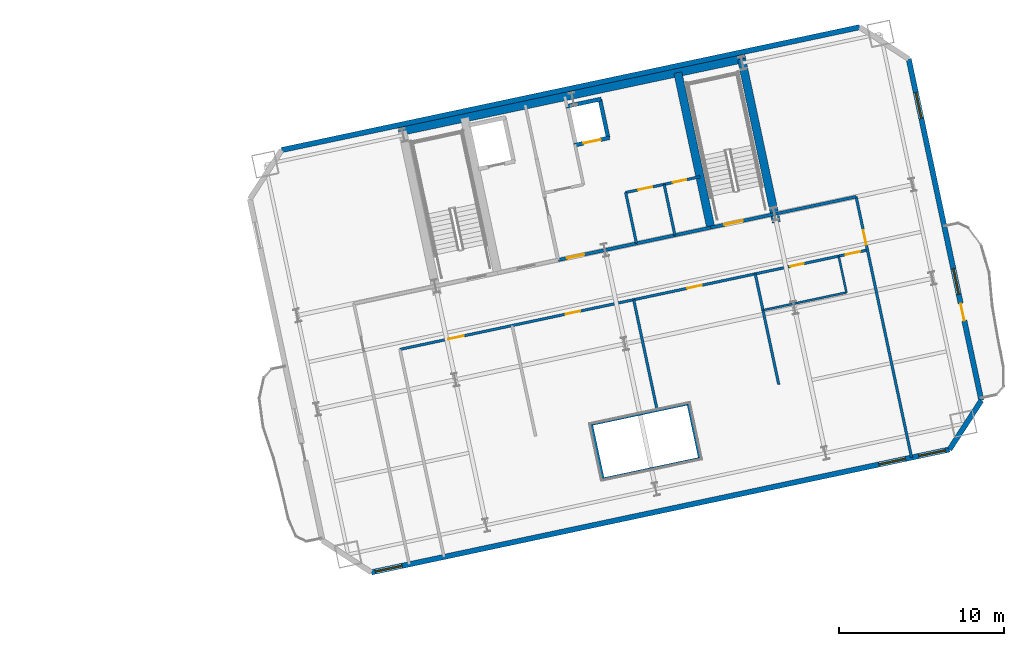
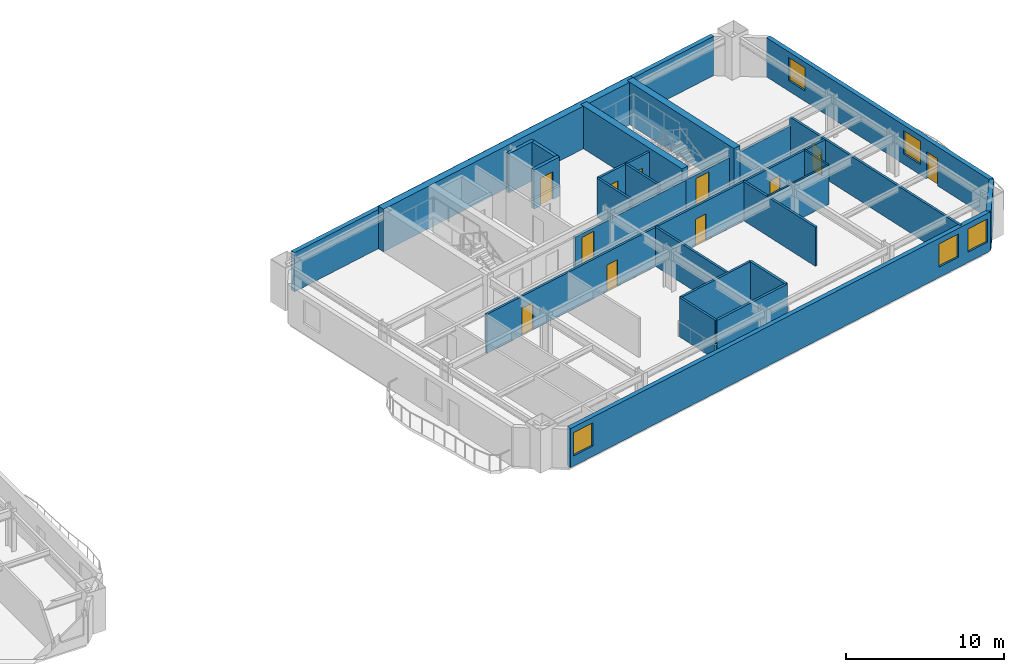
# One storey, part 8 of 13: 26 walls, 12 doors, 5 windows, 17 openings.
"""IFC4 building model written with IfcOpenShell, lengths in metres."""

from ifc_helpers import new_model, si_unit, direction, frame, frame_2d, origin, place, context, subcontext, project, spatial, rectangle, extrude, material, layer, layer_set, type_object, element, fill, save


model = new_model("IFC4")

# Units and contexts
model_context = context("Model", 3, precision=1e-05, world=origin(), true_north=direction((0.0, 1.0)))
body_context = subcontext(model_context, "Body", "Model", "MODEL_VIEW")
ifc_project = project(units=[si_unit("LENGTHUNIT", "METRE"), si_unit("AREAUNIT", "SQUARE_METRE"), si_unit("VOLUMEUNIT", "CUBIC_METRE"), si_unit("PLANEANGLEUNIT", "RADIAN"), si_unit("MASSUNIT", "GRAM", prefix="KILO")], contexts=[model_context])

# Site, building, storey
site_placement = place(None, origin())
site = spatial("IfcSite", under=ifc_project, at=site_placement, CompositionType="ELEMENT")
building_placement = place(site_placement, origin())
building = spatial("IfcBuilding", under=site, at=building_placement, Name="Haevon Station Towers", CompositionType="ELEMENT")
storey_placement = place(building_placement, frame((0.0, 0.0, 96.60009765625)))
storey = spatial("IfcBuildingStorey", under=building, at=storey_placement, Name="L25", CompositionType="ELEMENT", Elevation=96.60009765625)

# Walls
ifc_material_1 = material(Name="Gypsum board on steel stud", Category="steel")
ifc_layer_1 = layer(ifc_material_1, 0.179931640625)
ifc_layer_set_1 = layer_set([ifc_layer_1], Name="Gypsum board on steel stud")
wall_type_1 = type_object("IfcWallType", Name="WL-ACU180", PredefinedType="PARTITIONING", material=ifc_layer_set_1)
wall_1_placement = place(storey_placement, frame((119.29345703125, 41.80859375, 0.0), z_axis=(0.0, 0.0, 1.0), x_axis=(0.978154058851, 0.207881305445, 0.0)))
element("IfcWall", 1, at=wall_1_placement, inside=storey, type_object=wall_type_1, Name="WL-T2PT-L25-03", PredefinedType="PARTITIONING", context=body_context, shape_type="SweptSolid", body=[
    extrude(rectangle(XDim=5.050048828125, YDim=0.179931640625, at=frame_2d((2.52490234375, 0.0))), origin(), (0.0, 0.0, 1.0), 2.3798828125),
])
wall_2_placement = place(storey_placement, frame((108.90576171875, 25.747802734375, 0.0), z_axis=(0.0, 0.0, 1.0), x_axis=(0.978144681088, 0.207925426197, 0.0)))
element("IfcWall", 2, at=wall_2_placement, inside=storey, type_object=wall_type_1, Name="WL-T2PT-L25-06", PredefinedType="PARTITIONING", context=body_context, shape_type="SweptSolid", body=[
    extrude(rectangle(XDim=6.0, YDim=0.179931640625, at=frame_2d((3.0, 0.0))), origin(), (0.0, 0.0, 1.0), 3.02978515625),
])
wall_3_placement = place(storey_placement, frame((114.774658203125, 26.995361328125, 0.0), z_axis=(0.0, 0.0, 1.0), x_axis=(-0.207949787024, 0.97813950236, 0.0)))
element("IfcWall", 3, at=wall_3_placement, inside=storey, type_object=wall_type_1, Name="WL-T2PT-L25-09", PredefinedType="PARTITIONING", context=body_context, shape_type="SweptSolid", body=[
    extrude(rectangle(XDim=3.39990234375, YDim=0.179931640625, at=frame_2d((1.699951171875, 0.0))), origin(), (0.0, 0.0, 1.0), 3.02978515625),
])

# Wall, opening, door
ifc_layer_2 = layer(ifc_material_1, 0.199951171875)
ifc_layer_set_2 = layer_set([ifc_layer_2], Name="Gypsum board on steel stud")
wall_type_2 = type_object("IfcWallType", Name="WL-COR200", PredefinedType="PARTITIONING", material=ifc_layer_set_2)
wall_4_placement = place(storey_placement, frame((115.4296875, 40.9873046875, 0.0), z_axis=(0.0, 0.0, 1.0), x_axis=(0.978146596989, 0.207916413008, 0.0)))
wall_4 = element("IfcWall", 4, at=wall_4_placement, inside=storey, type_object=wall_type_2, Name="WL-ST-ST4-L25", PredefinedType="PARTITIONING", context=body_context, shape_type="SweptSolid", body=[
    extrude(rectangle(XDim=3.9501953125, YDim=0.199951171875, at=frame_2d((1.97509765625, 0.0))), origin(), (0.0, 0.0, 1.0), 2.3798828125),
])
opening_1_placement = place(wall_4_placement, frame((0.85009765625, 0.0, 0.0)))
opening_1 = element("IfcOpeningElement", 5, at=opening_1_placement, cuts=wall_4, Name="Opening DR-ST-ST4-L25", PredefinedType="OPENING", context=body_context, shape_type="SweptSolid", body=[
    extrude(rectangle(XDim=1.1201171875, YDim=2.10009765625, at=frame_2d((0.56005859375, 1.050048828125))), frame((0.0, 0.10986328125, 0.0), z_axis=(0.0, -1.0, 0.0), x_axis=(1.0, 0.0, 0.0)), (0.0, 0.0, 1.0), 0.219970703125),
])
ifc_material_2 = material(Name="Engineered oak timber", Category="wood")
door_type_1 = type_object("IfcDoorType", Name="DR-ST-1120", OperationType="NOTDEFINED", PredefinedType="DOOR", material=ifc_material_2)
door_1_placement = place(opening_1_placement, origin())
door_1 = element("IfcDoor", 6, at=door_1_placement, inside=storey, type_object=door_type_1, Name="L25 Escape Stair ST4 Fire Door", OperationType="SINGLE_SWING_LEFT", OverallHeight=2.10009765625, OverallWidth=1.1201171875, PredefinedType="DOOR", context=body_context, shape_type="SweptSolid", body=[
    extrude(rectangle(XDim=1.1201171875, YDim=2.10009765625, at=frame_2d((0.56005859375, 1.050048828125))), frame((0.0, 0.02490234375, 0.0), z_axis=(0.0, -1.0, 0.0), x_axis=(1.0, 0.0, 0.0)), (0.0, 0.0, 1.0), 0.050048828125),
])
fill(opening_1, door_1)

wall_5_placement = place(storey_placement, frame((106.186279296875, 39.0224609375, 0.0), z_axis=(0.0, 0.0, 1.0), x_axis=(0.978145519981, 0.20792147975, 0.0)))
wall_5 = element("IfcWall", 7, at=wall_5_placement, inside=storey, type_object=wall_type_2, Name="WL-T2CLB-L25", PredefinedType="PARTITIONING", context=body_context, shape_type="SweptSolid", body=[
    extrude(rectangle(XDim=9.449951171875, YDim=0.199951171875, at=frame_2d((4.72509765625, 0.0))), origin(), (0.0, 0.0, 1.0), 2.3798828125),
])
opening_2_placement = place(wall_5_placement, frame((0.550048828125, 0.0, 0.0)))
opening_2 = element("IfcOpeningElement", 8, at=opening_2_placement, cuts=wall_5, Name="Opening DR-T2CLB-L25-1", PredefinedType="OPENING", context=body_context, shape_type="SweptSolid", body=[
    extrude(rectangle(XDim=1.050048828125, YDim=2.10009765625, at=frame_2d((0.52490234375, 1.050048828125))), frame((0.0, 0.10986328125, 0.0), z_axis=(0.0, -1.0, 0.0), x_axis=(1.0, 0.0, 0.0)), (0.0, 0.0, 1.0), 0.219970703125),
])
door_type_2 = type_object("IfcDoorType", Name="DR-FD60-1050", OperationType="NOTDEFINED", PredefinedType="DOOR", material=ifc_material_2)
door_2_placement = place(opening_2_placement, origin())
door_2 = element("IfcDoor", 9, at=door_2_placement, inside=storey, type_object=door_type_2, Name="L25 Tower 2 Core Lift Lobby Door 1", OperationType="SINGLE_SWING_RIGHT", OverallHeight=2.10009765625, OverallWidth=1.050048828125, PredefinedType="DOOR", context=body_context, shape_type="SweptSolid", body=[
    extrude(rectangle(XDim=1.050048828125, YDim=2.10009765625, at=frame_2d((0.52490234375, 1.050048828125))), frame((0.0, 0.02490234375, 0.0), z_axis=(0.0, -1.0, 0.0), x_axis=(1.0, 0.0, 0.0)), (0.0, 0.0, 1.0), 0.050048828125),
])
fill(opening_2, door_2)

# Walls
ifc_material_3 = material(Name="Concrete C60/75", Category="concrete")
ifc_layer_3 = layer(ifc_material_3, 0.5)
ifc_layer_set_3 = layer_set([ifc_layer_3], Name="Concrete C60/75")
wall_type_3 = type_object("IfcWallType", Name="WL-CR500", PredefinedType="SHEAR", material=ifc_layer_set_3)
wall_6_placement = place(storey_placement, frame((96.511962890625, 46.78076171875, 0.0), z_axis=(0.0, 0.0, 1.0), x_axis=(0.978148546782, 0.207907239961, 0.0)))
element("IfcWall", 10, at=wall_6_placement, inside=storey, type_object=wall_type_3, Name="WL-T2CR-L25-N", PredefinedType="SHEAR", context=body_context, shape_type="SweptSolid", body=[
    extrude(rectangle(XDim=21.499755859375, YDim=0.5, at=frame_2d((10.75, 0.0))), origin(), (0.0, 0.0, 1.0), 3.2998046875),
])
wall_7_placement = place(storey_placement, frame((119.401611328125, 41.2998046875, 0.0), z_axis=(0.0, 0.0, 1.0), x_axis=(-0.207904342798, 0.978149162575, 0.0)))
element("IfcWall", 11, at=wall_7_placement, inside=storey, type_object=wall_type_3, Name="WL-T2CR-L25-E", PredefinedType="SHEAR", context=body_context, shape_type="SweptSolid", body=[
    extrude(rectangle(XDim=10.1201171875, YDim=0.5, at=frame_2d((5.06005859375, 0.0))), origin(), (0.0, 0.0, 1.0), 3.2998046875),
])
wall_8_placement = place(storey_placement, frame((115.4296875, 40.9873046875, 0.0), z_axis=(0.0, 0.0, 1.0), x_axis=(-0.207903162969, 0.978149413345, 0.0)))
element("IfcWall", 12, at=wall_8_placement, inside=storey, type_object=wall_type_3, Name="WL-T2CR-L25-M2", PredefinedType="SHEAR", context=body_context, shape_type="SweptSolid", body=[
    extrude(rectangle(XDim=9.599853515625, YDim=0.5, at=frame_2d((4.7998046875, 0.0))), origin(), (0.0, 0.0, 1.0), 3.2998046875),
])

# Wall, openings, windows
ifc_material_4 = material(Name="Precast concrete C45/55", Category="concrete")
ifc_layer_4 = layer(ifc_material_4, 0.320068359375)
ifc_layer_set_4 = layer_set([ifc_layer_4], Name="Precast concrete C45/55")
wall_type_4 = type_object("IfcWallType", Name="WL-EXT-PIER320", PredefinedType="SOLIDWALL", material=ifc_layer_set_4)
wall_9_placement = place(storey_placement, frame((129.889404296875, 27.550048828125, 0.0), z_axis=(0.0, 0.0, 1.0), x_axis=(-0.978146786281, -0.207915522479, 0.0)))
wall_9 = element("IfcWall", 13, at=wall_9_placement, inside=storey, type_object=wall_type_4, Name="WL-T2-L25-S", PredefinedType="SOLIDWALL", context=body_context, shape_type="SweptSolid", body=[
    extrude(rectangle(XDim=35.7998046875, YDim=0.320068359375, at=frame_2d((17.89990234375, 0.0))), origin(), (0.0, 0.0, 1.0), 3.02978515625),
])
opening_3_placement = place(wall_9_placement, frame((33.89990234375, 0.0, 0.800048828125)))
opening_3 = element("IfcOpeningElement", 14, at=opening_3_placement, cuts=wall_9, Name="Opening WN-P165", PredefinedType="OPENING", context=body_context, shape_type="SweptSolid", body=[
    extrude(rectangle(XDim=1.64990234375, YDim=1.800048828125, at=frame_2d((0.824951171875, 0.89990234375))), frame((0.0, 0.169921875, 0.0), z_axis=(0.0, -1.0, 0.0), x_axis=(1.0, 0.0, 0.0)), (0.0, 0.0, 1.0), 0.340087890625),
])
opening_4_placement = place(wall_9_placement, frame((0.25, 0.0, 0.800048828125)))
opening_4 = element("IfcOpeningElement", 15, at=opening_4_placement, cuts=wall_9, Name="Opening WN-P165", PredefinedType="OPENING", context=body_context, shape_type="SweptSolid", body=[
    extrude(rectangle(XDim=1.64990234375, YDim=1.800048828125, at=frame_2d((0.824951171875, 0.89990234375))), frame((0.0, 0.169921875, 0.0), z_axis=(0.0, -1.0, 0.0), x_axis=(1.0, 0.0, 0.0)), (0.0, 0.0, 1.0), 0.340087890625),
])
opening_5_placement = place(wall_9_placement, frame((2.72998046875, 0.0, 0.800048828125)))
opening_5 = element("IfcOpeningElement", 16, at=opening_5_placement, cuts=wall_9, Name="Opening WN-P165", PredefinedType="OPENING", context=body_context, shape_type="SweptSolid", body=[
    extrude(rectangle(XDim=1.64990234375, YDim=1.800048828125, at=frame_2d((0.824951171875, 0.89990234375))), frame((0.0, 0.169921875, 0.0), z_axis=(0.0, -1.0, 0.0), x_axis=(1.0, 0.0, 0.0)), (0.0, 0.0, 1.0), 0.340087890625),
])
ifc_material_5 = material(Name="Low-E triple glazing in thermally broken aluminium", Category="aluminium")
window_type_1 = type_object("IfcWindowType", Name="WN-P165", PartitioningType="SINGLE_PANEL", PredefinedType="WINDOW", material=ifc_material_5)
window_1_placement = place(opening_3_placement, origin())
window_1 = element("IfcWindow", 17, at=window_1_placement, inside=storey, type_object=window_type_1, Name="WN-T2-L25-S01", OverallHeight=1.800048828125, OverallWidth=1.64990234375, PartitioningType="SINGLE_PANEL", PredefinedType="WINDOW", context=body_context, shape_type="SweptSolid", body=[
    extrude(rectangle(XDim=1.64990234375, YDim=1.800048828125, at=frame_2d((0.824951171875, 0.89990234375))), frame((0.0, 0.030029296875, 0.0), z_axis=(0.0, -1.0, 0.0), x_axis=(1.0, 0.0, 0.0)), (0.0, 0.0, 1.0), 0.06005859375),
])
fill(opening_3, window_1)
window_2_placement = place(opening_4_placement, origin())
window_2 = element("IfcWindow", 18, at=window_2_placement, inside=storey, type_object=window_type_1, Name="WN-T2-L25-S02", OverallHeight=1.800048828125, OverallWidth=1.64990234375, PartitioningType="SINGLE_PANEL", PredefinedType="WINDOW", context=body_context, shape_type="SweptSolid", body=[
    extrude(rectangle(XDim=1.64990234375, YDim=1.800048828125, at=frame_2d((0.824951171875, 0.89990234375))), frame((0.0, 0.030029296875, 0.0), z_axis=(0.0, -1.0, 0.0), x_axis=(1.0, 0.0, 0.0)), (0.0, 0.0, 1.0), 0.06005859375),
])
fill(opening_4, window_2)
window_3_placement = place(opening_5_placement, origin())
window_3 = element("IfcWindow", 19, at=window_3_placement, inside=storey, type_object=window_type_1, Name="WN-T2-L25-S03", OverallHeight=1.800048828125, OverallWidth=1.64990234375, PartitioningType="SINGLE_PANEL", PredefinedType="WINDOW", context=body_context, shape_type="SweptSolid", body=[
    extrude(rectangle(XDim=1.64990234375, YDim=1.800048828125, at=frame_2d((0.824951171875, 0.89990234375))), frame((0.0, 0.030029296875, 0.0), z_axis=(0.0, -1.0, 0.0), x_axis=(1.0, 0.0, 0.0)), (0.0, 0.0, 1.0), 0.06005859375),
])
fill(opening_5, window_3)

# Wall
wall_10_placement = place(storey_placement, frame((89.43505859375, 45.685302734375, 0.0), z_axis=(0.0, 0.0, 1.0), x_axis=(0.978146786281, 0.207915522479, 0.0)))
element("IfcWall", 20, at=wall_10_placement, inside=storey, type_object=wall_type_4, Name="WL-T2-L25-N", PredefinedType="SOLIDWALL", context=body_context, shape_type="SweptSolid", body=[
    extrude(rectangle(XDim=35.7998046875, YDim=0.320068359375, at=frame_2d((17.89990234375, 0.0))), origin(), (0.0, 0.0, 1.0), 3.02978515625),
])

# Wall, openings, door, windows
wall_11_placement = place(storey_placement, frame((127.417724609375, 51.202880859375, 0.0), z_axis=(0.0, 0.0, 1.0), x_axis=(0.207918258146, -0.978146204782, 0.0)))
wall_11 = element("IfcWall", 21, at=wall_11_placement, inside=storey, type_object=wall_type_4, Name="WL-T2-L25-E", PredefinedType="SOLIDWALL", context=body_context, shape_type="SweptSolid", body=[
    extrude(rectangle(XDim=21.14990234375, YDim=0.320068359375, at=frame_2d((10.574951171875, 0.0))), origin(), (0.0, 0.0, 1.0), 3.02978515625),
])
opening_6_placement = place(wall_11_placement, frame((15.14990234375, 0.0, 0.0)))
opening_6 = element("IfcOpeningElement", 22, at=opening_6_placement, cuts=wall_11, Name="Opening DR-T2-SCAL-L25-E", PredefinedType="OPENING", context=body_context, shape_type="SweptSolid", body=[
    extrude(rectangle(XDim=1.050048828125, YDim=2.10009765625, at=frame_2d((0.52490234375, 1.050048828125))), frame((0.0, 0.169921875, 0.0), z_axis=(0.0, -1.0, 0.0), x_axis=(1.0, 0.0, 0.0)), (0.0, 0.0, 1.0), 0.340087890625),
])
opening_7_placement = place(wall_11_placement, frame((2.08203125, 0.0, 0.800048828125)))
opening_7 = element("IfcOpeningElement", 23, at=opening_7_placement, cuts=wall_11, Name="Opening WN-END160", PredefinedType="OPENING", context=body_context, shape_type="SweptSolid", body=[
    extrude(rectangle(XDim=1.60009765625, YDim=1.800048828125, at=frame_2d((0.800048828125, 0.89990234375))), frame((0.0, 0.169921875, 0.0), z_axis=(0.0, -1.0, 0.0), x_axis=(1.0, 0.0, 0.0)), (0.0, 0.0, 1.0), 0.340087890625),
])
opening_8_placement = place(wall_11_placement, frame((12.98046875, 0.0, 0.800048828125)))
opening_8 = element("IfcOpeningElement", 24, at=opening_8_placement, cuts=wall_11, Name="Opening WN-END160", PredefinedType="OPENING", context=body_context, shape_type="SweptSolid", body=[
    extrude(rectangle(XDim=1.60009765625, YDim=1.800048828125, at=frame_2d((0.800048828125, 0.89990234375))), frame((0.0, 0.169921875, 0.0), z_axis=(0.0, -1.0, 0.0), x_axis=(1.0, 0.0, 0.0)), (0.0, 0.0, 1.0), 0.340087890625),
])
ifc_material_6 = material(Name="Thermally broken anodised aluminium and laminated safety glass", Category="aluminium")
door_type_3 = type_object("IfcDoorType", Name="DR-BALC-1050", OperationType="NOTDEFINED", PredefinedType="DOOR", material=ifc_material_6)
door_3_placement = place(opening_6_placement, origin())
door_3 = element("IfcDoor", 25, at=door_3_placement, inside=storey, type_object=door_type_3, Name="Tower 2 L25 East Scalloped Balcony Door", OperationType="SINGLE_SWING_RIGHT", OverallHeight=2.10009765625, OverallWidth=1.050048828125, PredefinedType="DOOR", context=body_context, shape_type="SweptSolid", body=[
    extrude(rectangle(XDim=1.050048828125, YDim=2.10009765625, at=frame_2d((0.52490234375, 1.050048828125))), frame((0.0, 0.02490234375, 0.0), z_axis=(0.0, -1.0, 0.0), x_axis=(1.0, 0.0, 0.0)), (0.0, 0.0, 1.0), 0.050048828125),
])
fill(opening_6, door_3)
window_type_2 = type_object("IfcWindowType", Name="WN-END160", PartitioningType="SINGLE_PANEL", PredefinedType="WINDOW", material=ifc_material_5)
window_4_placement = place(opening_7_placement, origin())
window_4 = element("IfcWindow", 26, at=window_4_placement, inside=storey, type_object=window_type_2, Name="WN-T2-L25-E01", OverallHeight=1.800048828125, OverallWidth=1.60009765625, PartitioningType="SINGLE_PANEL", PredefinedType="WINDOW", context=body_context, shape_type="SweptSolid", body=[
    extrude(rectangle(XDim=1.60009765625, YDim=1.800048828125, at=frame_2d((0.800048828125, 0.89990234375))), frame((0.0, 0.030029296875, 0.0), z_axis=(0.0, -1.0, 0.0), x_axis=(1.0, 0.0, 0.0)), (0.0, 0.0, 1.0), 0.06005859375),
])
fill(opening_7, window_4)
window_5_placement = place(opening_8_placement, origin())
window_5 = element("IfcWindow", 27, at=window_5_placement, inside=storey, type_object=window_type_2, Name="WN-T2-L25-E02", OverallHeight=1.800048828125, OverallWidth=1.60009765625, PartitioningType="SINGLE_PANEL", PredefinedType="WINDOW", context=body_context, shape_type="SweptSolid", body=[
    extrude(rectangle(XDim=1.60009765625, YDim=1.800048828125, at=frame_2d((0.800048828125, 0.89990234375))), frame((0.0, 0.030029296875, 0.0), z_axis=(0.0, -1.0, 0.0), x_axis=(1.0, 0.0, 0.0)), (0.0, 0.0, 1.0), 0.06005859375),
])
fill(opening_8, window_5)

# Walls
wall_12_placement = place(storey_placement, frame((131.815185546875, 30.51513671875, 0.0), z_axis=(0.0, 0.0, 1.0), x_axis=(-0.544684921471, -0.838640767148, 0.0)))
element("IfcWall", 28, at=wall_12_placement, inside=storey, type_object=wall_type_4, Name="WL-T2-L25-SEC", PredefinedType="SOLIDWALL", context=body_context, shape_type="SweptSolid", body=[
    extrude(rectangle(XDim=3.53564453125, YDim=0.320068359375, at=frame_2d((1.767822265625, 0.0))), origin(), (0.0, 0.0, 1.0), 3.02978515625),
])
ifc_layer_5 = layer(ifc_material_1, 0.125)
ifc_layer_set_5 = layer_set([ifc_layer_5], Name="Gypsum board on steel stud")
wall_type_5 = type_object("IfcWallType", Name="WL-PRT125", PredefinedType="PARTITIONING", material=ifc_layer_set_5)
wall_13_placement = place(storey_placement, frame((118.5908203125, 35.985107421875, 0.0), z_axis=(0.0, 0.0, 1.0), x_axis=(0.97813987762, 0.207948021891, 0.0)))
element("IfcWall", 29, at=wall_13_placement, inside=storey, type_object=wall_type_5, Name="WL-T2PT-L25-15", PredefinedType="PARTITIONING", context=body_context, shape_type="SweptSolid", body=[
    extrude(rectangle(XDim=5.168212890625, YDim=0.125, at=frame_2d((2.583984375, 0.0))), origin(), (0.0, 0.0, 1.0), 3.02978515625),
])
wall_14_placement = place(storey_placement, frame((123.64599609375, 37.059814453125, 0.0), z_axis=(0.0, 0.0, 1.0), x_axis=(-0.207913264065, 0.978147266328, 0.0)))
element("IfcWall", 30, at=wall_14_placement, inside=storey, type_object=wall_type_5, Name="WL-T2PT-L25-16", PredefinedType="PARTITIONING", context=body_context, shape_type="SweptSolid", body=[
    extrude(rectangle(XDim=2.249755859375, YDim=0.125, at=frame_2d((1.125, 0.0))), origin(), (0.0, 0.0, 1.0), 3.02978515625),
])
ifc_layer_6 = layer(ifc_material_1, 0.159912109375)
ifc_layer_set_6 = layer_set([ifc_layer_6], Name="Gypsum board on steel stud")
wall_type_6 = type_object("IfcWallType", Name="WL-PRT160", PredefinedType="PARTITIONING", material=ifc_layer_set_6)
wall_15_placement = place(storey_placement, frame((110.93017578125, 40.031005859375, 0.0), z_axis=(0.0, 0.0, 1.0), x_axis=(-0.207877295669, 0.978154911016, 0.0)))
element("IfcWall", 31, at=wall_15_placement, inside=storey, type_object=wall_type_6, Name="WL-T2CW-L25-05", PredefinedType="PARTITIONING", context=body_context, shape_type="SweptSolid", body=[
    extrude(rectangle(XDim=3.14990234375, YDim=0.159912109375, at=frame_2d((1.574951171875, 0.0))), origin(), (0.0, 0.0, 1.0), 3.02978515625),
])
wall_16_placement = place(storey_placement, frame((113.25830078125, 40.525634765625, 0.0), z_axis=(0.0, 0.0, 1.0), x_axis=(-0.207935688634, 0.978142499533, 0.0)))
element("IfcWall", 32, at=wall_16_placement, inside=storey, type_object=wall_type_6, Name="WL-T2CW-L25-06", PredefinedType="PARTITIONING", context=body_context, shape_type="SweptSolid", body=[
    extrude(rectangle(XDim=3.150146484375, YDim=0.159912109375, at=frame_2d((1.5751953125, 0.0))), origin(), (0.0, 0.0, 1.0), 3.02978515625),
])

# Wall, openings, doors
wall_17_placement = place(storey_placement, frame((110.275390625, 43.112060546875, 0.0), z_axis=(0.0, 0.0, 1.0), x_axis=(0.978152106073, 0.207890493732, 0.0)))
wall_17 = element("IfcWall", 33, at=wall_17_placement, inside=storey, type_object=wall_type_6, Name="WL-T2CW-L25-07", PredefinedType="PARTITIONING", context=body_context, shape_type="SweptSolid", body=[
    extrude(rectangle(XDim=4.60009765625, YDim=0.159912109375, at=frame_2d((2.300048828125, 0.0))), origin(), (0.0, 0.0, 1.0), 3.02978515625),
])
opening_9_placement = place(wall_17_placement, frame((0.784912109375, 0.0, 0.0)))
opening_9 = element("IfcOpeningElement", 34, at=opening_9_placement, cuts=wall_17, Name="Opening DR-WL-T2CW-L25-07-1", PredefinedType="OPENING", context=body_context, shape_type="SweptSolid", body=[
    extrude(rectangle(XDim=0.85009765625, YDim=2.050048828125, at=frame_2d((0.425048828125, 1.02490234375))), frame((0.0, 0.08984375, 0.0), z_axis=(0.0, -1.0, 0.0), x_axis=(1.0, 0.0, 0.0)), (0.0, 0.0, 1.0), 0.179931640625),
])
opening_10_placement = place(wall_17_placement, frame((2.905029296875, 0.0, 0.0)))
opening_10 = element("IfcOpeningElement", 35, at=opening_10_placement, cuts=wall_17, Name="Opening DR-WL-T2CW-L25-07-2", PredefinedType="OPENING", context=body_context, shape_type="SweptSolid", body=[
    extrude(rectangle(XDim=0.85009765625, YDim=2.050048828125, at=frame_2d((0.425048828125, 1.02490234375))), frame((0.0, 0.08984375, 0.0), z_axis=(0.0, -1.0, 0.0), x_axis=(1.0, 0.0, 0.0)), (0.0, 0.0, 1.0), 0.179931640625),
])
door_type_4 = type_object("IfcDoorType", Name="DR-FD30-850", OperationType="NOTDEFINED", PredefinedType="DOOR", material=ifc_material_2)
door_4_placement = place(opening_9_placement, origin())
door_4 = element("IfcDoor", 36, at=door_4_placement, inside=storey, type_object=door_type_4, Name="L25 Tower 2 Core Room Door 7-1", OperationType="SINGLE_SWING_LEFT", OverallHeight=2.050048828125, OverallWidth=0.85009765625, PredefinedType="DOOR", context=body_context, shape_type="SweptSolid", body=[
    extrude(rectangle(XDim=0.85009765625, YDim=2.050048828125, at=frame_2d((0.425048828125, 1.02490234375))), frame((0.0, 0.02490234375, 0.0), z_axis=(0.0, -1.0, 0.0), x_axis=(1.0, 0.0, 0.0)), (0.0, 0.0, 1.0), 0.050048828125),
])
fill(opening_9, door_4)
door_5_placement = place(opening_10_placement, origin())
door_5 = element("IfcDoor", 37, at=door_5_placement, inside=storey, type_object=door_type_4, Name="L25 Tower 2 Core Room Door 7-2", OperationType="SINGLE_SWING_RIGHT", OverallHeight=2.050048828125, OverallWidth=0.85009765625, PredefinedType="DOOR", context=body_context, shape_type="SweptSolid", body=[
    extrude(rectangle(XDim=0.85009765625, YDim=2.050048828125, at=frame_2d((0.425048828125, 1.02490234375))), frame((0.0, 0.02490234375, 0.0), z_axis=(0.0, -1.0, 0.0), x_axis=(1.0, 0.0, 0.0)), (0.0, 0.0, 1.0), 0.050048828125),
])
fill(opening_10, door_5)

# Wall, opening, door
wall_18_placement = place(storey_placement, frame((127.5908203125, 27.0615234375, 0.0), z_axis=(0.0, 0.0, 1.0), x_axis=(-0.207907933608, 0.978148399346, 0.0)))
wall_18 = element("IfcWall", 38, at=wall_18_placement, inside=storey, type_object=wall_type_6, Name="WL-T2PT-L25-05", PredefinedType="PARTITIONING", context=body_context, shape_type="SweptSolid", body=[
    extrude(rectangle(XDim=16.149658203125, YDim=0.159912109375, at=frame_2d((8.07470703125, 0.0))), origin(), (0.0, 0.0, 1.0), 3.02978515625),
])
opening_11_placement = place(wall_18_placement, frame((13.169921875, 0.0, 0.0)))
opening_11 = element("IfcOpeningElement", 39, at=opening_11_placement, cuts=wall_18, Name="Opening DR-WL-T2PT-L25-05-01", PredefinedType="OPENING", context=body_context, shape_type="SweptSolid", body=[
    extrude(rectangle(XDim=0.89990234375, YDim=2.050048828125, at=frame_2d((0.449951171875, 1.02490234375))), frame((0.0, 0.08984375, 0.0), z_axis=(0.0, -1.0, 0.0), x_axis=(1.0, 0.0, 0.0)), (0.0, 0.0, 1.0), 0.179931640625),
])
door_type_5 = type_object("IfcDoorType", Name="DR-INT-900", OperationType="NOTDEFINED", PredefinedType="DOOR", material=ifc_material_2)
door_6_placement = place(opening_11_placement, origin())
door_6 = element("IfcDoor", 40, at=door_6_placement, inside=storey, type_object=door_type_5, Name="L25 Tower 2 Room Door 5-1", OperationType="SINGLE_SWING_RIGHT", OverallHeight=2.050048828125, OverallWidth=0.89990234375, PredefinedType="DOOR", context=body_context, shape_type="SweptSolid", body=[
    extrude(rectangle(XDim=0.89990234375, YDim=2.050048828125, at=frame_2d((0.449951171875, 1.02490234375))), frame((0.0, 0.02490234375, 0.0), z_axis=(0.0, -1.0, 0.0), x_axis=(1.0, 0.0, 0.0)), (0.0, 0.0, 1.0), 0.050048828125),
])
fill(opening_11, door_6)

# Walls
wall_19_placement = place(storey_placement, frame((108.19873046875, 29.073486328125, 0.0), z_axis=(0.0, 0.0, 1.0), x_axis=(0.978144681088, 0.207925426197, 0.0)))
element("IfcWall", 41, at=wall_19_placement, inside=storey, type_object=wall_type_6, Name="WL-T2PT-L25-07", PredefinedType="PARTITIONING", context=body_context, shape_type="SweptSolid", body=[
    extrude(rectangle(XDim=6.0, YDim=0.159912109375, at=frame_2d((3.0, 0.0))), origin(), (0.0, 0.0, 1.0), 3.02978515625),
])
wall_20_placement = place(storey_placement, frame((108.90576171875, 25.747802734375, 0.0), z_axis=(0.0, 0.0, 1.0), x_axis=(-0.207949787024, 0.97813950236, 0.0)))
element("IfcWall", 42, at=wall_20_placement, inside=storey, type_object=wall_type_6, Name="WL-T2PT-L25-08", PredefinedType="PARTITIONING", context=body_context, shape_type="SweptSolid", body=[
    extrude(rectangle(XDim=3.39990234375, YDim=0.159912109375, at=frame_2d((1.699951171875, 0.0))), origin(), (0.0, 0.0, 1.0), 3.02978515625),
])
for number, where, z_axis, x_axis, name in (
    (43, (112.184814453125, 29.9208984375, 0.0), (0.0, 0.0, 1.0), (-0.207932073521, 0.978143268035, 0.0), "WL-T2PT-L25-11"),
    (44, (119.547119140625, 31.48583984375, 0.0), (0.0, 0.0, 1.0), (-0.207897972701, 0.978150516509, 0.0), "WL-T2PT-L25-13"),
):
    element("IfcWall", number, at=place(storey_placement, frame(where, z_axis=z_axis, x_axis=x_axis)), inside=storey, type_object=wall_type_6, Name=name, PredefinedType="PARTITIONING", context=body_context, shape_type="SweptSolid", body=[
        extrude(rectangle(XDim=6.849853515625, YDim=0.159912109375, at=frame_2d((3.4248046875, 0.0))), origin(), (0.0, 0.0, 1.0), 3.02978515625),
    ])

# Wall, openings, doors
wall_21_placement = place(storey_placement, frame((96.601806640625, 33.611572265625, 0.0), z_axis=(0.0, 0.0, 1.0), x_axis=(0.978147618699, 0.207911606299, 0.0)))
wall_21 = element("IfcWall", 45, at=wall_21_placement, inside=storey, type_object=wall_type_6, Name="WL-T2PT-L25-17", PredefinedType="PARTITIONING", context=body_context, shape_type="SweptSolid", body=[
    extrude(rectangle(XDim=28.949951171875, YDim=0.159912109375, at=frame_2d((14.47509765625, 0.0))), origin(), (0.0, 0.0, 1.0), 3.02978515625),
])
opening_12_placement = place(wall_21_placement, frame((2.9990234375, 0.0, 0.0)))
opening_12 = element("IfcOpeningElement", 46, at=opening_12_placement, cuts=wall_21, Name="Opening DR-WL-T2PT-L25-17-01", PredefinedType="OPENING", context=body_context, shape_type="SweptSolid", body=[
    extrude(rectangle(XDim=0.949951171875, YDim=2.10009765625, at=frame_2d((0.47509765625, 1.050048828125))), frame((0.0, 0.08984375, 0.0), z_axis=(0.0, -1.0, 0.0), x_axis=(1.0, 0.0, 0.0)), (0.0, 0.0, 1.0), 0.179931640625),
])
opening_13_placement = place(wall_21_placement, frame((10.260986328125, 0.0, 0.0)))
opening_13 = element("IfcOpeningElement", 47, at=opening_13_placement, cuts=wall_21, Name="Opening DR-WL-T2PT-L25-17-02", PredefinedType="OPENING", context=body_context, shape_type="SweptSolid", body=[
    extrude(rectangle(XDim=0.89990234375, YDim=2.050048828125, at=frame_2d((0.449951171875, 1.02490234375))), frame((0.0, 0.08984375, 0.0), z_axis=(0.0, -1.0, 0.0), x_axis=(1.0, 0.0, 0.0)), (0.0, 0.0, 1.0), 0.179931640625),
])
opening_14_placement = place(wall_21_placement, frame((17.7880859375, 0.0, 0.0)))
opening_14 = element("IfcOpeningElement", 48, at=opening_14_placement, cuts=wall_21, Name="Opening DR-WL-T2PT-L25-17-03", PredefinedType="OPENING", context=body_context, shape_type="SweptSolid", body=[
    extrude(rectangle(XDim=0.89990234375, YDim=2.050048828125, at=frame_2d((0.449951171875, 1.02490234375))), frame((0.0, 0.08984375, 0.0), z_axis=(0.0, -1.0, 0.0), x_axis=(1.0, 0.0, 0.0)), (0.0, 0.0, 1.0), 0.179931640625),
])
opening_15_placement = place(wall_21_placement, frame((24.160888671875, 0.0, 0.0)))
opening_15 = element("IfcOpeningElement", 49, at=opening_15_placement, cuts=wall_21, Name="Opening DR-WL-T2PT-L25-17-04", PredefinedType="OPENING", context=body_context, shape_type="SweptSolid", body=[
    extrude(rectangle(XDim=0.85009765625, YDim=2.050048828125, at=frame_2d((0.425048828125, 1.02490234375))), frame((0.0, 0.08984375, 0.0), z_axis=(0.0, -1.0, 0.0), x_axis=(1.0, 0.0, 0.0)), (0.0, 0.0, 1.0), 0.179931640625),
])
opening_16_placement = place(wall_21_placement, frame((27.610107421875, 0.0, 0.0)))
opening_16 = element("IfcOpeningElement", 50, at=opening_16_placement, cuts=wall_21, Name="Opening DR-WL-T2PT-L25-17-05", PredefinedType="OPENING", context=body_context, shape_type="SweptSolid", body=[
    extrude(rectangle(XDim=0.89990234375, YDim=2.050048828125, at=frame_2d((0.449951171875, 1.02490234375))), frame((0.0, 0.08984375, 0.0), z_axis=(0.0, -1.0, 0.0), x_axis=(1.0, 0.0, 0.0)), (0.0, 0.0, 1.0), 0.179931640625),
])
door_7_placement = place(opening_15_placement, origin())
door_7 = element("IfcDoor", 51, at=door_7_placement, inside=storey, type_object=door_type_4, Name="L25 Tower 2 Room Door 17-4", OperationType="SINGLE_SWING_RIGHT", OverallHeight=2.050048828125, OverallWidth=0.85009765625, PredefinedType="DOOR", context=body_context, shape_type="SweptSolid", body=[
    extrude(rectangle(XDim=0.85009765625, YDim=2.050048828125, at=frame_2d((0.425048828125, 1.02490234375))), frame((0.0, 0.02490234375, 0.0), z_axis=(0.0, -1.0, 0.0), x_axis=(1.0, 0.0, 0.0)), (0.0, 0.0, 1.0), 0.050048828125),
])
fill(opening_15, door_7)
door_type_6 = type_object("IfcDoorType", Name="DR-FD30-950", OperationType="NOTDEFINED", PredefinedType="DOOR", material=ifc_material_2)
door_8_placement = place(opening_12_placement, origin())
door_8 = element("IfcDoor", 52, at=door_8_placement, inside=storey, type_object=door_type_6, Name="L25 Tower 2 Room Door 17-1", OperationType="SINGLE_SWING_LEFT", OverallHeight=2.10009765625, OverallWidth=0.949951171875, PredefinedType="DOOR", context=body_context, shape_type="SweptSolid", body=[
    extrude(rectangle(XDim=0.949951171875, YDim=2.10009765625, at=frame_2d((0.47509765625, 1.050048828125))), frame((0.0, 0.02490234375, 0.0), z_axis=(0.0, -1.0, 0.0), x_axis=(1.0, 0.0, 0.0)), (0.0, 0.0, 1.0), 0.050048828125),
])
fill(opening_12, door_8)
door_9_placement = place(opening_13_placement, origin())
door_9 = element("IfcDoor", 53, at=door_9_placement, inside=storey, type_object=door_type_5, Name="L25 Tower 2 Room Door 17-2", OperationType="SINGLE_SWING_RIGHT", OverallHeight=2.050048828125, OverallWidth=0.89990234375, PredefinedType="DOOR", context=body_context, shape_type="SweptSolid", body=[
    extrude(rectangle(XDim=0.89990234375, YDim=2.050048828125, at=frame_2d((0.449951171875, 1.02490234375))), frame((0.0, 0.02490234375, 0.0), z_axis=(0.0, -1.0, 0.0), x_axis=(1.0, 0.0, 0.0)), (0.0, 0.0, 1.0), 0.050048828125),
])
fill(opening_13, door_9)
door_10_placement = place(opening_14_placement, origin())
door_10 = element("IfcDoor", 54, at=door_10_placement, inside=storey, type_object=door_type_5, Name="L25 Tower 2 Room Door 17-3", OperationType="SINGLE_SWING_LEFT", OverallHeight=2.050048828125, OverallWidth=0.89990234375, PredefinedType="DOOR", context=body_context, shape_type="SweptSolid", body=[
    extrude(rectangle(XDim=0.89990234375, YDim=2.050048828125, at=frame_2d((0.449951171875, 1.02490234375))), frame((0.0, 0.02490234375, 0.0), z_axis=(0.0, -1.0, 0.0), x_axis=(1.0, 0.0, 0.0)), (0.0, 0.0, 1.0), 0.050048828125),
])
fill(opening_14, door_10)
door_11_placement = place(opening_16_placement, origin())
door_11 = element("IfcDoor", 55, at=door_11_placement, inside=storey, type_object=door_type_5, Name="L25 Tower 2 Room Door 17-5", OperationType="SINGLE_SWING_LEFT", OverallHeight=2.050048828125, OverallWidth=0.89990234375, PredefinedType="DOOR", context=body_context, shape_type="SweptSolid", body=[
    extrude(rectangle(XDim=0.89990234375, YDim=2.050048828125, at=frame_2d((0.449951171875, 1.02490234375))), frame((0.0, 0.02490234375, 0.0), z_axis=(0.0, -1.0, 0.0), x_axis=(1.0, 0.0, 0.0)), (0.0, 0.0, 1.0), 0.050048828125),
])
fill(opening_16, door_11)

# Wall, opening, door
ifc_material_7 = material(Name="Concrete C40/50", Category="concrete")
ifc_layer_7 = layer(ifc_material_7, 0.239990234375)
ifc_layer_set_7 = layer_set([ifc_layer_7], Name="Concrete C40/50")
wall_type_7 = type_object("IfcWallType", Name="WL-SHF240", PredefinedType="PARTITIONING", material=ifc_layer_set_7)
wall_22_placement = place(storey_placement, frame((107.18115234375, 45.9814453125, 0.0), z_axis=(0.0, 0.0, 1.0), x_axis=(0.97813528961, 0.207969601673, 0.0)))
wall_22 = element("IfcWall", 56, at=wall_22_placement, inside=storey, type_object=wall_type_7, Name="WL-SHF-PL8-L25", PredefinedType="PARTITIONING", context=body_context, shape_type="SweptSolid", body=[
    extrude(rectangle(XDim=2.159912109375, YDim=0.239990234375, at=frame_2d((1.080078125, 0.0))), origin(), (0.0, 0.0, 1.0), 3.02978515625),
])
opening_17_placement = place(wall_22_placement, frame((0.554931640625, 0.0, 0.0)))
opening_17 = element("IfcOpeningElement", 57, at=opening_17_placement, cuts=wall_22, Name="Opening LD-PL8-L25", PredefinedType="OPENING", context=body_context, shape_type="SweptSolid", body=[
    extrude(rectangle(XDim=1.050048828125, YDim=2.14990234375, at=frame_2d((0.52490234375, 1.074951171875))), frame((0.0, 0.1298828125, 0.0), z_axis=(0.0, -1.0, 0.0), x_axis=(1.0, 0.0, 0.0)), (0.0, 0.0, 1.0), 0.260009765625),
])
ifc_material_8 = material(Name="Stainless steel and rated core", Category="steel")
door_type_7 = type_object("IfcDoorType", Name="LD-PL1050", OperationType="SLIDING_TO_LEFT", PredefinedType="DOOR", material=ifc_material_8)
door_12_placement = place(opening_17_placement, origin())
door_12 = element("IfcDoor", 58, at=door_12_placement, inside=storey, type_object=door_type_7, Name="L25 Lift PL8 Sliding Landing Door", OperationType="SLIDING_TO_LEFT", OverallHeight=2.14990234375, OverallWidth=1.050048828125, PredefinedType="DOOR", context=body_context, shape_type="SweptSolid", body=[
    extrude(rectangle(XDim=1.050048828125, YDim=2.14990234375, at=frame_2d((0.52490234375, 1.074951171875))), frame((0.0, 0.02490234375, 0.0), z_axis=(0.0, -1.0, 0.0), x_axis=(1.0, 0.0, 0.0)), (0.0, 0.0, 1.0), 0.050048828125),
])
fill(opening_17, door_12)

# Walls
wall_23_placement = place(storey_placement, frame((106.68212890625, 48.3291015625, 0.0), z_axis=(0.0, 0.0, 1.0), x_axis=(0.978158276388, 0.207861459473, 0.0)))
element("IfcWall", 59, at=wall_23_placement, inside=storey, type_object=wall_type_7, Name="WL-SHF-PL8-L25-N", PredefinedType="PARTITIONING", context=body_context, shape_type="SweptSolid", body=[
    extrude(rectangle(XDim=2.159912109375, YDim=0.239990234375, at=frame_2d((1.080078125, 0.0))), origin(), (0.0, 0.0, 1.0), 3.02978515625),
])
wall_24_placement = place(storey_placement, frame((109.2158203125, 46.413818359375, 0.0), z_axis=(0.0, 0.0, 1.0), x_axis=(-0.207917150959, 0.978146440129, 0.0)))
element("IfcWall", 60, at=wall_24_placement, inside=storey, type_object=wall_type_7, Name="WL-SHF-PL8-L25-E", PredefinedType="PARTITIONING", context=body_context, shape_type="SweptSolid", body=[
    extrude(rectangle(XDim=2.400146484375, YDim=0.239990234375, at=frame_2d((1.2001953125, 0.0))), origin(), (0.0, 0.0, 1.0), 3.02978515625),
])

save(model, "model.ifc")
